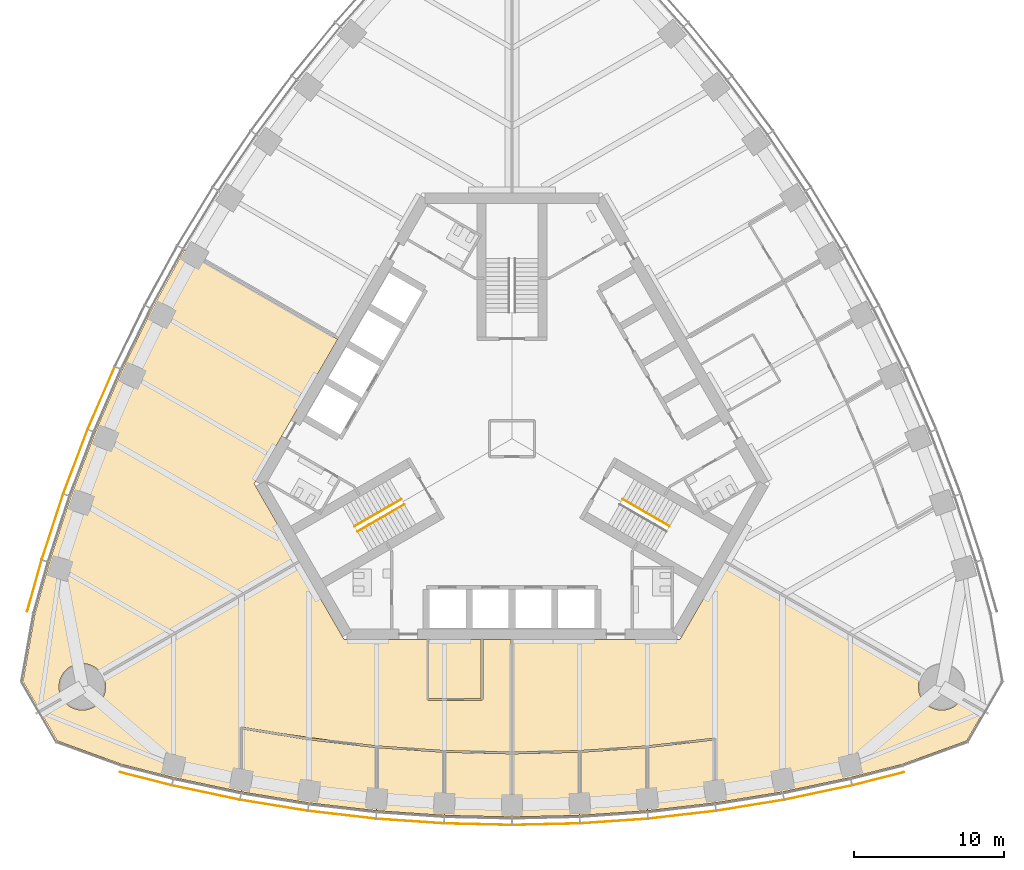
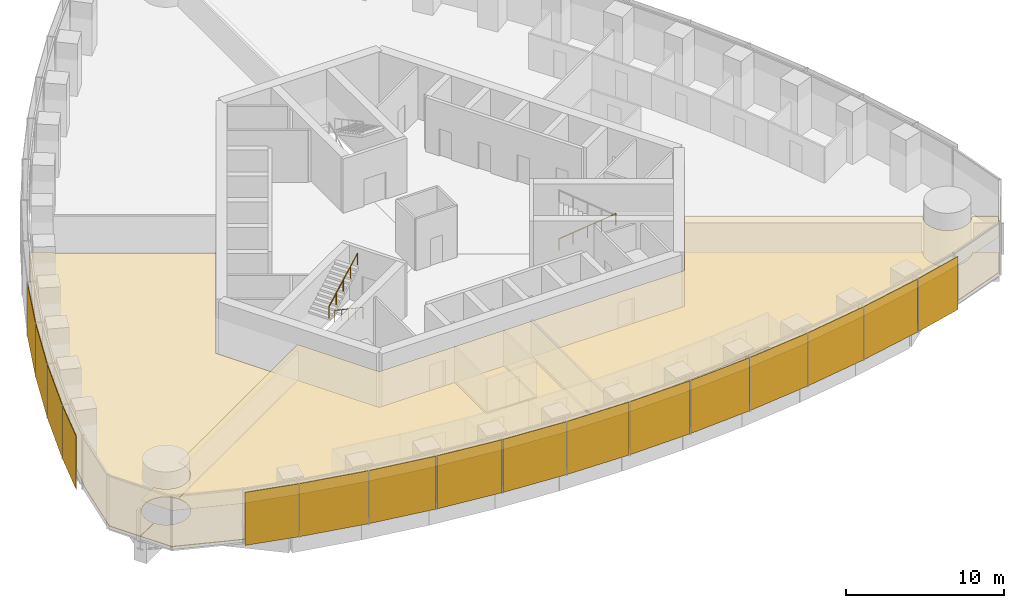
# One storey, part 14 of 18: 16 shading devices, 11 coverings, 3 railings.
"""IFC4 building model written with IfcOpenShell, lengths in metres."""

from ifc_helpers import new_model, si_unit, direction, frame, origin, origin_2d, place, context, subcontext, project, spatial, polyline, rectangle, circle, outline, extrude, material, layer, layer_set, type_object, element, save


model = new_model("IFC4")

# Units and contexts
model_context = context("Model", 3, precision=1e-05, world=origin(), true_north=direction((0.0, 1.0)))
body_context = subcontext(model_context, "Body", "Model", "MODEL_VIEW")
ifc_project = project(units=[si_unit("LENGTHUNIT", "METRE"), si_unit("AREAUNIT", "SQUARE_METRE"), si_unit("VOLUMEUNIT", "CUBIC_METRE"), si_unit("PLANEANGLEUNIT", "RADIAN"), si_unit("MASSUNIT", "GRAM", prefix="KILO")], contexts=[model_context])

# Site, building, storey
site_placement = place(None, origin())
site = spatial("IfcSite", under=ifc_project, at=site_placement, CompositionType="ELEMENT")
building_placement = place(site_placement, origin())
building = spatial("IfcBuilding", under=site, at=building_placement, Name="Trefoil Bronze Tower", CompositionType="ELEMENT")
storey_placement = place(building_placement, frame((0.0, 0.0, 252.699951171875)))
storey = spatial("IfcBuildingStorey", under=building, at=storey_placement, Name="L58", CompositionType="ELEMENT", Elevation=252.699951171875)

# Shading devices
ifc_material_1 = material(Name="Perforated bronze sheet", Category="bronze")
ifc_layer_1 = layer(ifc_material_1, 0.0400390625)
ifc_layer_set_1 = layer_set([ifc_layer_1], Name="Bronze solar screen panel")
shading_device_type = type_object("IfcShadingDeviceType", Name="Bronze solar screen panel", PredefinedType="SHUTTER", material=ifc_layer_set_1)
shading_device_1_placement = place(storey_placement, frame((-24.360107421875, -22.614501953125, 0.050048828125), z_axis=(0.0, 0.0, 1.0), x_axis=(0.968934035393, -0.247319297786, 0.0)))
element("IfcShadingDevice", 1, at=shading_device_1_placement, inside=storey, type_object=shading_device_type, Name="Solar screen CW-A L58 F1 bay 1", PredefinedType="SHUTTER", context=body_context, shape_type="SweptSolid", body=[
    extrude(rectangle(XDim=3.53369140625, YDim=0.0400390625, at=origin_2d()), origin(), (0.0, 0.0, 1.0), 4.10009765625),
])
shading_device_2_placement = place(storey_placement, frame((-20.361572265625, -23.535888671875, 0.050048828125), z_axis=(0.0, 0.0, 1.0), x_axis=(0.978394335897, -0.20674748725, 0.0)))
element("IfcShadingDevice", 2, at=shading_device_2_placement, inside=storey, type_object=shading_device_type, Name="Solar screen CW-A L58 F1 bay 2", PredefinedType="SHUTTER", context=body_context, shape_type="SweptSolid", body=[
    extrude(rectangle(XDim=4.5693359375, YDim=0.0400390625, at=origin_2d()), origin(), (0.0, 0.0, 1.0), 4.10009765625),
])
shading_device_3_placement = place(storey_placement, frame((-15.8369140625, -24.382568359375, 0.050048828125), z_axis=(0.0, 0.0, 1.0), x_axis=(0.986986549528, -0.160802832848, 0.0)))
element("IfcShadingDevice", 3, at=shading_device_3_placement, inside=storey, type_object=shading_device_type, Name="Solar screen CW-A L58 F1 bay 3", PredefinedType="SHUTTER", context=body_context, shape_type="SweptSolid", body=[
    extrude(rectangle(XDim=4.529296875, YDim=0.0400390625, at=origin_2d()), origin(), (0.0, 0.0, 1.0), 4.10009765625),
])
shading_device_4_placement = place(storey_placement, frame((-11.31201171875, -25.0126953125, 0.050048828125), z_axis=(0.0, 0.0, 1.0), x_axis=(0.993381831741, -0.114858767043, 0.0)))
element("IfcShadingDevice", 4, at=shading_device_4_placement, inside=storey, type_object=shading_device_type, Name="Solar screen CW-A L58 F1 bay 4", PredefinedType="SHUTTER", context=body_context, shape_type="SweptSolid", body=[
    extrude(rectangle(XDim=4.5, YDim=0.0400390625, at=origin_2d()), origin(), (0.0, 0.0, 1.0), 4.10009765625),
])
shading_device_5_placement = place(storey_placement, frame((-6.787109375, -25.430419921875, 0.050048828125), z_axis=(0.0, 0.0, 1.0), x_axis=(0.99762252804, -0.068915103905, 0.0)))
element("IfcShadingDevice", 5, at=shading_device_5_placement, inside=storey, type_object=shading_device_type, Name="Solar screen CW-A L58 F1 bay 5", PredefinedType="SHUTTER", context=body_context, shape_type="SweptSolid", body=[
    extrude(rectangle(XDim=4.480712890625, YDim=0.0400390625, at=origin_2d()), origin(), (0.0, 0.0, 1.0), 4.10009765625),
])
for number, where, z_axis, x_axis, name in (
    (6, (-2.262451171875, -25.638671875, 0.050048828125), (0.0, 0.0, 1.0), (0.999736116243, -0.022971675577, 0.0), "Solar screen CW-A L58 F1 bay 6"),
    (7, (2.262451171875, -25.638671875, 0.050048828125), (0.0, 0.0, 1.0), (0.999736116243, 0.022971675577, 0.0), "Solar screen CW-A L58 F1 bay 7"),
):
    element("IfcShadingDevice", number, at=place(storey_placement, frame(where, z_axis=z_axis, x_axis=x_axis)), inside=storey, type_object=shading_device_type, Name=name, PredefinedType="SHUTTER", context=body_context, shape_type="SweptSolid", body=[
        extrude(rectangle(XDim=4.47119140625, YDim=0.0400390625, at=origin_2d()), origin(), (0.0, 0.0, 1.0), 4.10009765625),
    ])
shading_device_6_placement = place(storey_placement, frame((6.787109375, -25.430419921875, 0.050048828125), z_axis=(0.0, 0.0, 1.0), x_axis=(0.99762252804, 0.068915103905, 0.0)))
element("IfcShadingDevice", 8, at=shading_device_6_placement, inside=storey, type_object=shading_device_type, Name="Solar screen CW-A L58 F1 bay 8", PredefinedType="SHUTTER", context=body_context, shape_type="SweptSolid", body=[
    extrude(rectangle(XDim=4.480712890625, YDim=0.0400390625, at=origin_2d()), origin(), (0.0, 0.0, 1.0), 4.10009765625),
])
shading_device_7_placement = place(storey_placement, frame((11.31201171875, -25.0126953125, 0.050048828125), z_axis=(0.0, 0.0, 1.0), x_axis=(0.993381831741, 0.114858767043, 0.0)))
element("IfcShadingDevice", 9, at=shading_device_7_placement, inside=storey, type_object=shading_device_type, Name="Solar screen CW-A L58 F1 bay 9", PredefinedType="SHUTTER", context=body_context, shape_type="SweptSolid", body=[
    extrude(rectangle(XDim=4.5, YDim=0.0400390625, at=origin_2d()), origin(), (0.0, 0.0, 1.0), 4.10009765625),
])
shading_device_8_placement = place(storey_placement, frame((15.8369140625, -24.382568359375, 0.050048828125), z_axis=(0.0, 0.0, 1.0), x_axis=(0.986986549528, 0.160802832848, 0.0)))
element("IfcShadingDevice", 10, at=shading_device_8_placement, inside=storey, type_object=shading_device_type, Name="Solar screen CW-A L58 F1 bay 10", PredefinedType="SHUTTER", context=body_context, shape_type="SweptSolid", body=[
    extrude(rectangle(XDim=4.529296875, YDim=0.0400390625, at=origin_2d()), origin(), (0.0, 0.0, 1.0), 4.10009765625),
])
shading_device_9_placement = place(storey_placement, frame((20.361572265625, -23.535888671875, 0.050048828125), z_axis=(0.0, 0.0, 1.0), x_axis=(0.978394335897, 0.20674748725, 0.0)))
element("IfcShadingDevice", 11, at=shading_device_9_placement, inside=storey, type_object=shading_device_type, Name="Solar screen CW-A L58 F1 bay 11", PredefinedType="SHUTTER", context=body_context, shape_type="SweptSolid", body=[
    extrude(rectangle(XDim=4.5693359375, YDim=0.0400390625, at=origin_2d()), origin(), (0.0, 0.0, 1.0), 4.10009765625),
])
shading_device_10_placement = place(storey_placement, frame((24.360107421875, -22.614501953125, 0.050048828125), z_axis=(0.0, 0.0, 1.0), x_axis=(0.968934035393, 0.247319297786, 0.0)))
element("IfcShadingDevice", 12, at=shading_device_10_placement, inside=storey, type_object=shading_device_type, Name="Solar screen CW-A L58 F1 bay 12", PredefinedType="SHUTTER", context=body_context, shape_type="SweptSolid", body=[
    extrude(rectangle(XDim=3.53369140625, YDim=0.0400390625, at=origin_2d()), origin(), (0.0, 0.0, 1.0), 4.10009765625),
])
shading_device_11_placement = place(storey_placement, frame((-27.317626953125, 2.709716796875, 0.050048828125), z_axis=(0.0, 0.0, 1.0), x_axis=(-0.397220305764, -0.917723285467, 0.0)))
element("IfcShadingDevice", 13, at=shading_device_11_placement, inside=storey, type_object=shading_device_type, Name="Solar screen CW-A L58 F3 bay 9", PredefinedType="SHUTTER", context=body_context, shape_type="SweptSolid", body=[
    extrude(rectangle(XDim=4.5, YDim=0.0400390625, at=origin_2d()), origin(), (0.0, 0.0, 1.0), 4.10009765625),
])
shading_device_12_placement = place(storey_placement, frame((-29.0341796875, -1.52392578125, 0.050048828125), z_axis=(0.0, 0.0, 1.0), x_axis=(-0.354233936517, -0.935156841508, 0.0)))
element("IfcShadingDevice", 14, at=shading_device_12_placement, inside=storey, type_object=shading_device_type, Name="Solar screen CW-A L58 F3 bay 10", PredefinedType="SHUTTER", context=body_context, shape_type="SweptSolid", body=[
    extrude(rectangle(XDim=4.529296875, YDim=0.0400390625, at=origin_2d()), origin(), (0.0, 0.0, 1.0), 4.10009765625),
])
shading_device_13_placement = place(storey_placement, frame((-30.5634765625, -5.86572265625, 0.050048828125), z_axis=(0.0, 0.0, 1.0), x_axis=(-0.310148591821, -0.950688093431, 0.0)))
element("IfcShadingDevice", 15, at=shading_device_13_placement, inside=storey, type_object=shading_device_type, Name="Solar screen CW-A L58 F3 bay 11", PredefinedType="SHUTTER", context=body_context, shape_type="SweptSolid", body=[
    extrude(rectangle(XDim=4.5693359375, YDim=0.0400390625, at=origin_2d()), origin(), (0.0, 0.0, 1.0), 4.10009765625),
])
shading_device_14_placement = place(storey_placement, frame((-31.764892578125, -9.7890625, 0.050048828125), z_axis=(0.0, 0.0, 1.0), x_axis=(-0.270282222968, -0.962781138134, 0.0)))
element("IfcShadingDevice", 16, at=shading_device_14_placement, inside=storey, type_object=shading_device_type, Name="Solar screen CW-A L58 F3 bay 12", PredefinedType="SHUTTER", context=body_context, shape_type="SweptSolid", body=[
    extrude(rectangle(XDim=3.53369140625, YDim=0.0400390625, at=origin_2d()), origin(), (0.0, 0.0, 1.0), 4.10009765625),
])

# Railings
ifc_material_2 = material(Name="Steel handrail", Category="steel")
railing_type = type_object("IfcRailingType", Name="Handrail 900", PredefinedType="HANDRAIL", material=ifc_material_2)
railing_1_placement = place(storey_placement, frame((7.365966796875, -4.021728515625, 0.16162109375)))
element("IfcRailing", 17, at=railing_1_placement, inside=storey, type_object=railing_type, Name="Handrail ST1 flight 1 L58", PredefinedType="HANDRAIL", context=body_context, shape_type="SweptSolid", body=[
    extrude(circle(Radius=0.02392578125, at=origin_2d()), frame((0.0, 0.0, 0.8759765625), z_axis=(0.76250339821, -0.440245697338, 0.474101564745), x_axis=(0.500012057535, 0.866018442252, 0.0)), (0.0, 0.0, 1.0), 4.088623046875),
    extrude(circle(Radius=0.02099609375, at=origin_2d()), origin(), (0.0, 0.0, 1.0), 0.851806640625),
    extrude(circle(Radius=0.02099609375, at=origin_2d()), frame((0.779296875, -0.449951171875, 0.484619140625)), (0.0, 0.0, 1.0), 0.851806640625),
    extrude(circle(Radius=0.02099609375, at=origin_2d()), frame((1.558837890625, -0.89990234375, 0.96923828125)), (0.0, 0.0, 1.0), 0.851806640625),
    extrude(circle(Radius=0.02099609375, at=origin_2d()), frame((2.33837890625, -1.35009765625, 1.453857421875)), (0.0, 0.0, 1.0), 0.851806640625),
    extrude(circle(Radius=0.02099609375, at=origin_2d()), frame((3.11767578125, -1.800048828125, 1.9384765625)), (0.0, 0.0, 1.0), 0.851806640625),
])
railing_2_placement = place(storey_placement, frame((-7.166015625, -4.3681640625, 0.16162109375)))
element("IfcRailing", 18, at=railing_2_placement, inside=storey, type_object=railing_type, Name="Handrail ST3 flight 1 L58", PredefinedType="HANDRAIL", context=body_context, shape_type="SweptSolid", body=[
    extrude(circle(Radius=0.02392578125, at=origin_2d()), frame((0.0, 0.0, 0.8759765625), z_axis=(-0.76250339821, -0.440245697338, 0.474101564745), x_axis=(0.500012057535, -0.866018442252, 0.0)), (0.0, 0.0, 1.0), 4.088623046875),
    extrude(circle(Radius=0.02099609375, at=origin_2d()), origin(), (0.0, 0.0, 1.0), 0.851806640625),
    extrude(circle(Radius=0.02099609375, at=origin_2d()), frame((-0.779296875, -0.449951171875, 0.484619140625)), (0.0, 0.0, 1.0), 0.851806640625),
    extrude(circle(Radius=0.02099609375, at=origin_2d()), frame((-1.558837890625, -0.89990234375, 0.96923828125)), (0.0, 0.0, 1.0), 0.851806640625),
    extrude(circle(Radius=0.02099609375, at=origin_2d()), frame((-2.33837890625, -1.35009765625, 1.453857421875)), (0.0, 0.0, 1.0), 0.851806640625),
    extrude(circle(Radius=0.02099609375, at=origin_2d()), frame((-3.11767578125, -1.800048828125, 1.9384765625)), (0.0, 0.0, 1.0), 0.851806640625),
])
railing_3_placement = place(storey_placement, frame((-10.483642578125, -5.82177734375, 2.261474609375)))
element("IfcRailing", 19, at=railing_3_placement, inside=storey, type_object=railing_type, Name="Handrail ST3 flight 2 L58", PredefinedType="HANDRAIL", context=body_context, shape_type="SweptSolid", body=[
    extrude(circle(Radius=0.02392578125, at=origin_2d()), frame((0.0, 0.0, 0.8759765625), z_axis=(0.76250339821, 0.440245697338, 0.474101564745), x_axis=(-0.500012057535, 0.866018442252, 0.0)), (0.0, 0.0, 1.0), 4.088623046875),
    extrude(circle(Radius=0.02099609375, at=origin_2d()), origin(), (0.0, 0.0, 1.0), 0.851806640625),
    extrude(circle(Radius=0.02099609375, at=origin_2d()), frame((0.779296875, 0.449951171875, 0.484619140625)), (0.0, 0.0, 1.0), 0.851806640625),
    extrude(circle(Radius=0.02099609375, at=origin_2d()), frame((1.558837890625, 0.89990234375, 0.96923828125)), (0.0, 0.0, 1.0), 0.851806640625),
    extrude(circle(Radius=0.02099609375, at=origin_2d()), frame((2.33837890625, 1.35009765625, 1.453857421875)), (0.0, 0.0, 1.0), 0.851806640625),
    extrude(circle(Radius=0.02099609375, at=origin_2d()), frame((3.11767578125, 1.800048828125, 1.9384765625)), (0.0, 0.0, 1.0), 0.851806640625),
])

# Coverings
ifc_material_3 = material(Name="Acoustic ceiling panels", Category="mineral fibre")
ifc_layer_2 = layer(ifc_material_3, 0.02001953125)
ifc_layer_set_2 = layer_set([ifc_layer_2], Name="Office ceiling 20")
covering_type_1 = type_object("IfcCoveringType", Name="Office ceiling 20", PredefinedType="CEILING", material=ifc_layer_set_2)
covering_1_placement = place(storey_placement, frame((0.0, 0.0, 2.900146484375)))
element("IfcCovering", 20, at=covering_1_placement, inside=storey, type_object=covering_type_1, Name="Ceiling L58 PA area F1", PredefinedType="CEILING", context=body_context, shape_type="SweptSolid", body=[
    extrude(outline(polyline([(-29.86767578125, -17.361083984375), (-29.82373046875, -17.42333984375), (-29.777099609375, -17.4833984375), (-29.727294921875, -17.541015625), (-29.6748046875, -17.595947265625), (-29.619873046875, -17.6484375), (-29.56201171875, -17.6982421875), (-29.502197265625, -17.7451171875), (-29.43994140625, -17.788818359375), (-29.375732421875, -17.82958984375), (-29.3095703125, -17.866943359375), (-29.241455078125, -17.901123046875), (-29.172119140625, -17.931884765625), (-29.10107421875, -17.95947265625), (-29.02880859375, -17.9833984375), (-28.95556640625, -18.00341796875), (-28.881103515625, -18.020263671875), (-28.806396484375, -18.033203125), (-28.730712890625, -18.04248046875), (-28.65478515625, -18.048095703125), (-28.578857421875, -18.050048828125), (-28.502685546875, -18.048095703125), (-28.427001953125, -18.04248046875), (-28.351318359375, -18.033203125), (-28.2763671875, -18.020263671875), (-28.2021484375, -18.00341796875), (-28.12890625, -17.9833984375), (-28.056640625, -17.95947265625), (-27.985595703125, -17.931884765625), (-27.916015625, -17.901123046875), (-27.84814453125, -17.866943359375), (-27.781982421875, -17.82958984375), (-27.7177734375, -17.788818359375), (-27.655517578125, -17.7451171875), (-27.595458984375, -17.6982421875), (-27.537841796875, -17.6484375), (-27.48291015625, -17.595947265625), (-27.430419921875, -17.541015625), (-27.380615234375, -17.4833984375), (-27.333984375, -17.42333984375), (-27.2900390625, -17.361083984375), (-27.24951171875, -17.296875), (-27.2119140625, -17.230712890625), (-27.177734375, -17.16259765625), (-27.146728515625, -17.09326171875), (-27.119384765625, -17.022216796875), (-27.095703125, -16.949951171875), (-27.0751953125, -16.876708984375), (-27.05859375, -16.802490234375), (-27.045654296875, -16.727294921875), (-27.036376953125, -16.65185546875), (-27.03076171875, -16.576171875), (-27.02880859375, -16.5), (-27.03076171875, -16.423828125), (-27.036376953125, -16.34814453125), (-27.045654296875, -16.272705078125), (-27.05859375, -16.197509765625), (-27.0751953125, -16.123291015625), (-27.095703125, -16.050048828125), (-27.119384765625, -15.977783203125), (-27.146728515625, -15.90673828125), (-27.177734375, -15.83740234375), (-27.2119140625, -15.769287109375), (-27.23095703125, -15.735595703125), (-14.156494140625, -8.180419921875), (-11.171630859375, -13.35009765625), (11.171630859375, -13.35009765625), (14.156494140625, -8.180419921875), (27.23095703125, -15.735595703125), (27.2119140625, -15.769287109375), (27.177734375, -15.83740234375), (27.146728515625, -15.90673828125), (27.119384765625, -15.977783203125), (27.095703125, -16.050048828125), (27.0751953125, -16.123291015625), (27.05859375, -16.197509765625), (27.045654296875, -16.272705078125), (27.036376953125, -16.34814453125), (27.03076171875, -16.423828125), (27.02880859375, -16.5), (27.03076171875, -16.576171875), (27.036376953125, -16.65185546875), (27.045654296875, -16.727294921875), (27.05859375, -16.802490234375), (27.0751953125, -16.876708984375), (27.095703125, -16.949951171875), (27.119384765625, -17.022216796875), (27.146728515625, -17.09326171875), (27.177734375, -17.16259765625), (27.2119140625, -17.230712890625), (27.24951171875, -17.296875), (27.2900390625, -17.361083984375), (27.333984375, -17.42333984375), (27.380615234375, -17.4833984375), (27.430419921875, -17.541015625), (27.48291015625, -17.595947265625), (27.537841796875, -17.6484375), (27.595458984375, -17.6982421875), (27.655517578125, -17.7451171875), (27.7177734375, -17.788818359375), (27.781982421875, -17.82958984375), (27.84814453125, -17.866943359375), (27.916015625, -17.901123046875), (27.985595703125, -17.931884765625), (28.056640625, -17.95947265625), (28.12890625, -17.9833984375), (28.2021484375, -18.00341796875), (28.2763671875, -18.020263671875), (28.351318359375, -18.033203125), (28.427001953125, -18.04248046875), (28.502685546875, -18.048095703125), (28.578857421875, -18.050048828125), (28.65478515625, -18.048095703125), (28.730712890625, -18.04248046875), (28.806396484375, -18.033203125), (28.881103515625, -18.020263671875), (28.95556640625, -18.00341796875), (29.02880859375, -17.9833984375), (29.10107421875, -17.95947265625), (29.172119140625, -17.931884765625), (29.241455078125, -17.901123046875), (29.3095703125, -17.866943359375), (29.375732421875, -17.82958984375), (29.43994140625, -17.788818359375), (29.502197265625, -17.7451171875), (29.56201171875, -17.6982421875), (29.619873046875, -17.6484375), (29.6748046875, -17.595947265625), (29.727294921875, -17.541015625), (29.777099609375, -17.4833984375), (29.82373046875, -17.42333984375), (29.86767578125, -17.361083984375), (29.914306640625, -17.2861328125), (31.37158203125, -18.1279296875), (30.23828125, -20.0908203125), (25.952880859375, -21.650634765625), (22.5, -22.531982421875), (18.0, -23.48291015625), (13.5, -24.216064453125), (9.0, -24.736328125), (4.5, -25.047119140625), (0.0, -25.150634765625), (-4.5, -25.047119140625), (-9.0, -24.736328125), (-13.5, -24.216064453125), (-18.0, -23.48291015625), (-22.5, -22.531982421875), (-25.952880859375, -21.650634765625), (-30.23828125, -20.0908203125), (-31.37158203125, -18.1279296875), (-29.914306640625, -17.2861328125), (-29.86767578125, -17.361083984375)])), origin(), (0.0, 0.0, 1.0), 0.02001953125),
])
ifc_material_4 = material(Name="Raised access floor panels", Category="steel")
ifc_layer_3 = layer(ifc_material_4, 0.050048828125)
ifc_layer_set_3 = layer_set([ifc_layer_3], Name="Raised access floor 150")
covering_type_2 = type_object("IfcCoveringType", Name="Raised access floor 150", PredefinedType="FLOORING", material=ifc_layer_set_3)
covering_2_placement = place(storey_placement, frame((0.0, 0.0, 0.10009765625)))
element("IfcCovering", 21, at=covering_2_placement, inside=storey, type_object=covering_type_2, Name="Raised floor L58 Meeting room F1", PredefinedType="FLOORING", context=body_context, shape_type="SweptSolid", body=[
    extrude(outline(polyline([(-2.06005859375, -13.35009765625), (-2.06005859375, -17.2900390625), (-5.5400390625, -17.2900390625), (-5.5400390625, -13.35009765625), (-2.06005859375, -13.35009765625)])), origin(), (0.0, 0.0, 1.0), 0.050048828125),
])
covering_3_placement = place(storey_placement, frame((0.0, 0.0, 0.10009765625)))
element("IfcCovering", 22, at=covering_3_placement, inside=storey, type_object=covering_type_2, Name="Raised floor L58 Kitchen and breakout F1", PredefinedType="FLOORING", context=body_context, shape_type="SweptSolid", body=[
    extrude(outline(polyline([(-13.5, -24.216064453125), (-18.0, -23.48291015625), (-18.0, -21.926513671875), (-17.93994140625, -21.926513671875), (-17.93994140625, -19.303466796875), (-13.509521484375, -20.025390625), (-13.5, -19.966064453125), (-13.5068359375, -20.025634765625), (-9.06005859375, -20.539794921875), (-9.06005859375, -23.199951171875), (-9.0, -23.199951171875), (-9.0, -24.736328125), (-13.5, -24.216064453125)])), origin(), (0.0, 0.0, 1.0), 0.050048828125),
])
covering_4_placement = place(storey_placement, frame((0.0, 0.0, 0.10009765625)))
element("IfcCovering", 23, at=covering_4_placement, inside=storey, type_object=covering_type_2, Name="Raised floor L58 Office F1", PredefinedType="FLOORING", context=body_context, shape_type="SweptSolid", body=[
    extrude(outline(polyline([(-4.5, -25.047119140625), (-9.0, -24.736328125), (-9.0, -23.199951171875), (-8.93994140625, -23.199951171875), (-8.93994140625, -20.55078125), (-4.56005859375, -20.853271484375), (-4.56005859375, -23.515625), (-4.5, -23.515625), (-4.5, -25.047119140625)])), origin(), (0.0, 0.0, 1.0), 0.050048828125),
])
covering_5_placement = place(storey_placement, frame((0.0, 0.0, 0.10009765625)))
element("IfcCovering", 24, at=covering_5_placement, inside=storey, type_object=covering_type_2, Name="Raised floor L58 Office F1", PredefinedType="FLOORING", context=body_context, shape_type="SweptSolid", body=[
    extrude(outline(polyline([(0.0, -25.150634765625), (-4.5, -25.047119140625), (-4.5, -23.515625), (-4.43994140625, -23.515625), (-4.43994140625, -20.858642578125), (-0.074951171875, -20.958984375), (-0.074951171875, -23.62060546875), (0.0, -23.62060546875), (0.0, -25.150634765625)])), origin(), (0.0, 0.0, 1.0), 0.050048828125),
])
covering_6_placement = place(storey_placement, frame((0.0, 0.0, 0.10009765625)))
element("IfcCovering", 25, at=covering_6_placement, inside=storey, type_object=covering_type_2, Name="Raised floor L58 Office F1", PredefinedType="FLOORING", context=body_context, shape_type="SweptSolid", body=[
    extrude(outline(polyline([(4.5, -25.047119140625), (0.0, -25.150634765625), (0.0, -23.62060546875), (0.074951171875, -23.62060546875), (0.074951171875, -20.958984375), (4.43994140625, -20.858642578125), (4.43994140625, -23.515625), (4.5, -23.515625), (4.5, -25.047119140625)])), origin(), (0.0, 0.0, 1.0), 0.050048828125),
])
covering_7_placement = place(storey_placement, frame((0.0, 0.0, 0.10009765625)))
element("IfcCovering", 26, at=covering_7_placement, inside=storey, type_object=covering_type_2, Name="Raised floor L58 Office F1", PredefinedType="FLOORING", context=body_context, shape_type="SweptSolid", body=[
    extrude(outline(polyline([(9.0, -24.736328125), (4.5, -25.047119140625), (4.5, -23.515625), (4.56005859375, -23.515625), (4.56005859375, -20.853271484375), (8.93994140625, -20.55078125), (8.93994140625, -23.199951171875), (9.0, -23.199951171875), (9.0, -24.736328125)])), origin(), (0.0, 0.0, 1.0), 0.050048828125),
])
covering_8_placement = place(storey_placement, frame((0.0, 0.0, 0.10009765625)))
element("IfcCovering", 27, at=covering_8_placement, inside=storey, type_object=covering_type_2, Name="Raised floor L58 Meeting room F1", PredefinedType="FLOORING", context=body_context, shape_type="SweptSolid", body=[
    extrude(outline(polyline([(13.5, -24.216064453125), (9.0, -24.736328125), (9.0, -23.199951171875), (9.06005859375, -23.199951171875), (9.06005859375, -20.539794921875), (13.43994140625, -20.033447265625), (13.43994140625, -22.67138671875), (13.5, -22.67138671875), (13.5, -24.216064453125)])), origin(), (0.0, 0.0, 1.0), 0.050048828125),
])
covering_9_placement = place(storey_placement, frame((0.0, 0.0, 0.10009765625)))
element("IfcCovering", 28, at=covering_9_placement, inside=storey, type_object=covering_type_2, Name="Raised floor L58 PA area F1", PredefinedType="FLOORING", context=body_context, shape_type="SweptSolid", body=[
    extrude(outline(polyline([(13.5, -22.67138671875), (13.56005859375, -22.67138671875), (13.56005859375, -19.966064453125), (13.5, -19.966064453125), (13.4931640625, -19.906494140625), (8.994384765625, -20.426513671875), (4.497314453125, -20.7373046875), (0.074951171875, -20.8388671875), (0.074951171875, -13.360107421875), (0.0009765625, -13.360107421875), (0.0009765625, -13.35009765625), (11.171630859375, -13.35009765625), (14.156494140625, -8.180419921875), (27.23095703125, -15.735595703125), (27.2119140625, -15.769287109375), (27.177734375, -15.83740234375), (27.146728515625, -15.90673828125), (27.119384765625, -15.977783203125), (27.095703125, -16.050048828125), (27.0751953125, -16.123291015625), (27.05859375, -16.197509765625), (27.045654296875, -16.272705078125), (27.036376953125, -16.34814453125), (27.03076171875, -16.423828125), (27.02880859375, -16.5), (27.03076171875, -16.576171875), (27.036376953125, -16.65185546875), (27.045654296875, -16.727294921875), (27.05859375, -16.802490234375), (27.0751953125, -16.876708984375), (27.095703125, -16.949951171875), (27.119384765625, -17.022216796875), (27.146728515625, -17.09326171875), (27.177734375, -17.16259765625), (27.2119140625, -17.230712890625), (27.24951171875, -17.296875), (27.2900390625, -17.361083984375), (27.333984375, -17.42333984375), (27.380615234375, -17.4833984375), (27.430419921875, -17.541015625), (27.48291015625, -17.595947265625), (27.537841796875, -17.6484375), (27.595458984375, -17.6982421875), (27.655517578125, -17.7451171875), (27.7177734375, -17.788818359375), (27.781982421875, -17.82958984375), (27.84814453125, -17.866943359375), (27.916015625, -17.901123046875), (27.985595703125, -17.931884765625), (28.056640625, -17.95947265625), (28.12890625, -17.9833984375), (28.2021484375, -18.00341796875), (28.2763671875, -18.020263671875), (28.351318359375, -18.033203125), (28.427001953125, -18.04248046875), (28.502685546875, -18.048095703125), (28.578857421875, -18.050048828125), (28.65478515625, -18.048095703125), (28.730712890625, -18.04248046875), (28.806396484375, -18.033203125), (28.881103515625, -18.020263671875), (28.95556640625, -18.00341796875), (29.02880859375, -17.9833984375), (29.10107421875, -17.95947265625), (29.172119140625, -17.931884765625), (29.241455078125, -17.901123046875), (29.3095703125, -17.866943359375), (29.375732421875, -17.82958984375), (29.43994140625, -17.788818359375), (29.502197265625, -17.7451171875), (29.56201171875, -17.6982421875), (29.619873046875, -17.6484375), (29.6748046875, -17.595947265625), (29.727294921875, -17.541015625), (29.777099609375, -17.4833984375), (29.82373046875, -17.42333984375), (29.86767578125, -17.361083984375), (29.914306640625, -17.2861328125), (31.37158203125, -18.1279296875), (30.23828125, -20.0908203125), (25.952880859375, -21.650634765625), (22.5, -22.531982421875), (18.0, -23.48291015625), (13.5, -24.216064453125), (13.5, -22.67138671875)])), origin(), (0.0, 0.0, 1.0), 0.050048828125),
])
covering_10_placement = place(storey_placement, frame((0.0, 0.0, 0.10009765625)))
element("IfcCovering", 29, at=covering_10_placement, inside=storey, type_object=covering_type_2, Name="Raised floor L58 PA area F1", PredefinedType="FLOORING", context=body_context, shape_type="SweptSolid", body=[
    extrude(outline(polyline([(-27.23095703125, -15.735595703125), (-14.156494140625, -8.180419921875), (-11.171630859375, -13.35009765625), (-5.659912109375, -13.35009765625), (-5.659912109375, -17.35009765625), (-5.60009765625, -17.35009765625), (-5.60009765625, -17.409912109375), (-2.0, -17.409912109375), (-2.0, -17.35009765625), (-1.93994140625, -17.35009765625), (-1.93994140625, -13.35009765625), (-0.0009765625, -13.35009765625), (-0.0009765625, -13.360107421875), (-0.074951171875, -13.360107421875), (-0.074951171875, -20.8388671875), (-4.497314453125, -20.7373046875), (-8.994384765625, -20.426513671875), (-11.553955078125, -20.130615234375), (-15.429443359375, -19.5908203125), (-17.990478515625, -19.173583984375), (-18.0, -19.23291015625), (-18.06005859375, -19.23291015625), (-18.06005859375, -21.926513671875), (-18.0, -21.926513671875), (-18.0, -23.48291015625), (-22.5, -22.531982421875), (-25.952880859375, -21.650634765625), (-30.23828125, -20.0908203125), (-31.37158203125, -18.1279296875), (-29.914306640625, -17.2861328125), (-29.86767578125, -17.361083984375), (-29.82373046875, -17.42333984375), (-29.777099609375, -17.4833984375), (-29.727294921875, -17.541015625), (-29.6748046875, -17.595947265625), (-29.619873046875, -17.6484375), (-29.56201171875, -17.6982421875), (-29.502197265625, -17.7451171875), (-29.43994140625, -17.788818359375), (-29.375732421875, -17.82958984375), (-29.3095703125, -17.866943359375), (-29.241455078125, -17.901123046875), (-29.172119140625, -17.931884765625), (-29.10107421875, -17.95947265625), (-29.02880859375, -17.9833984375), (-28.95556640625, -18.00341796875), (-28.881103515625, -18.020263671875), (-28.806396484375, -18.033203125), (-28.730712890625, -18.04248046875), (-28.65478515625, -18.048095703125), (-28.578857421875, -18.050048828125), (-28.502685546875, -18.048095703125), (-28.427001953125, -18.04248046875), (-28.351318359375, -18.033203125), (-28.2763671875, -18.020263671875), (-28.2021484375, -18.00341796875), (-28.12890625, -17.9833984375), (-28.056640625, -17.95947265625), (-27.985595703125, -17.931884765625), (-27.916015625, -17.901123046875), (-27.84814453125, -17.866943359375), (-27.781982421875, -17.82958984375), (-27.7177734375, -17.788818359375), (-27.655517578125, -17.7451171875), (-27.595458984375, -17.6982421875), (-27.537841796875, -17.6484375), (-27.48291015625, -17.595947265625), (-27.430419921875, -17.541015625), (-27.380615234375, -17.4833984375), (-27.333984375, -17.42333984375), (-27.2900390625, -17.361083984375), (-27.24951171875, -17.296875), (-27.2119140625, -17.230712890625), (-27.177734375, -17.16259765625), (-27.146728515625, -17.09326171875), (-27.119384765625, -17.022216796875), (-27.095703125, -16.949951171875), (-27.0751953125, -16.876708984375), (-27.05859375, -16.802490234375), (-27.045654296875, -16.727294921875), (-27.036376953125, -16.65185546875), (-27.03076171875, -16.576171875), (-27.02880859375, -16.5), (-27.03076171875, -16.423828125), (-27.036376953125, -16.34814453125), (-27.045654296875, -16.272705078125), (-27.05859375, -16.197509765625), (-27.0751953125, -16.123291015625), (-27.095703125, -16.050048828125), (-27.119384765625, -15.977783203125), (-27.146728515625, -15.90673828125), (-27.177734375, -15.83740234375), (-27.2119140625, -15.769287109375), (-27.23095703125, -15.735595703125)])), origin(), (0.0, 0.0, 1.0), 0.050048828125),
])
covering_11_placement = place(storey_placement, frame((0.0, 0.0, 0.10009765625)))
element("IfcCovering", 30, at=covering_11_placement, inside=storey, type_object=covering_type_2, Name="Raised floor L58 PA area F3", PredefinedType="FLOORING", context=body_context, shape_type="SweptSolid", body=[
    extrude(outline(polyline([(-29.92724609375, -17.263427734375), (-31.385009765625, -18.1044921875), (-32.518310546875, -16.1416015625), (-31.7265625, -11.650634765625), (-30.76318359375, -8.219482421875), (-29.3369140625, -3.846923828125), (-27.7216796875, 0.416748046875), (-25.92236328125, 4.573974609375), (-23.94140625, 8.62646484375), (-21.781494140625, 12.574462890625), (-20.45654296875, 11.8095703125), (-20.49365234375, 11.745361328125), (-11.607666015625, 6.614990234375), (-11.570556640625, 6.67919921875), (-11.56201171875, 6.674072265625), (-17.147216796875, -3.0), (-14.16259765625, -8.169677734375), (-27.24267578125, -15.71484375), (-27.2900390625, -15.638916015625), (-27.333984375, -15.57666015625), (-27.380615234375, -15.5166015625), (-27.430419921875, -15.458984375), (-27.48291015625, -15.404052734375), (-27.537841796875, -15.3515625), (-27.595458984375, -15.3017578125), (-27.655517578125, -15.2548828125), (-27.7177734375, -15.211181640625), (-27.781982421875, -15.17041015625), (-27.84814453125, -15.133056640625), (-27.916015625, -15.098876953125), (-27.985595703125, -15.068115234375), (-28.056640625, -15.04052734375), (-28.12890625, -15.0166015625), (-28.2021484375, -14.99658203125), (-28.2763671875, -14.979736328125), (-28.351318359375, -14.966796875), (-28.427001953125, -14.95751953125), (-28.502685546875, -14.951904296875), (-28.578857421875, -14.949951171875), (-28.65478515625, -14.951904296875), (-28.730712890625, -14.95751953125), (-28.806396484375, -14.966796875), (-28.881103515625, -14.979736328125), (-28.95556640625, -14.99658203125), (-29.02880859375, -15.0166015625), (-29.10107421875, -15.04052734375), (-29.172119140625, -15.068115234375), (-29.241455078125, -15.098876953125), (-29.3095703125, -15.133056640625), (-29.375732421875, -15.17041015625), (-29.43994140625, -15.211181640625), (-29.502197265625, -15.2548828125), (-29.56201171875, -15.3017578125), (-29.619873046875, -15.3515625), (-29.6748046875, -15.404052734375), (-29.727294921875, -15.458984375), (-29.777099609375, -15.5166015625), (-29.82373046875, -15.57666015625), (-29.86767578125, -15.638916015625), (-29.908203125, -15.703125), (-29.94580078125, -15.769287109375), (-29.97998046875, -15.83740234375), (-30.010986328125, -15.90673828125), (-30.0380859375, -15.977783203125), (-30.06201171875, -16.050048828125), (-30.08251953125, -16.123291015625), (-30.09912109375, -16.197509765625), (-30.112060546875, -16.272705078125), (-30.121337890625, -16.34814453125), (-30.126953125, -16.423828125), (-30.12890625, -16.5), (-30.126953125, -16.576171875), (-30.121337890625, -16.65185546875), (-30.112060546875, -16.727294921875), (-30.09912109375, -16.802490234375), (-30.08251953125, -16.876708984375), (-30.06201171875, -16.949951171875), (-30.0380859375, -17.022216796875), (-30.010986328125, -17.09326171875), (-29.97998046875, -17.16259765625), (-29.94580078125, -17.230712890625), (-29.92724609375, -17.263427734375)])), origin(), (0.0, 0.0, 1.0), 0.050048828125),
])

save(model, "model.ifc")
